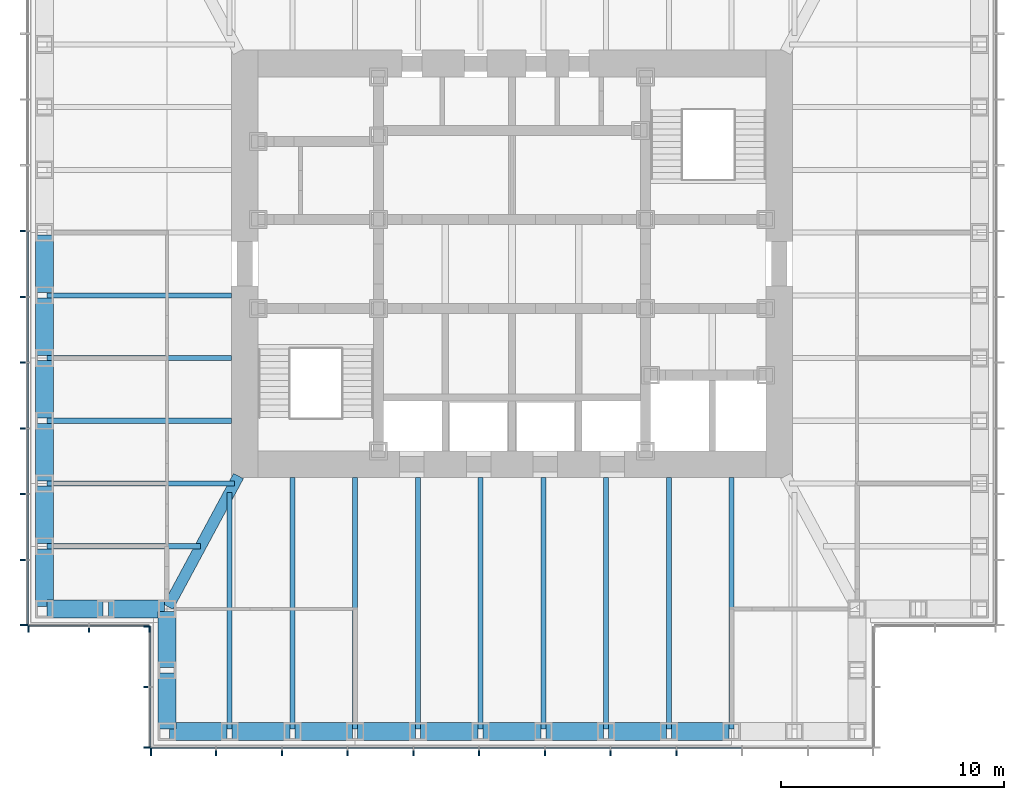
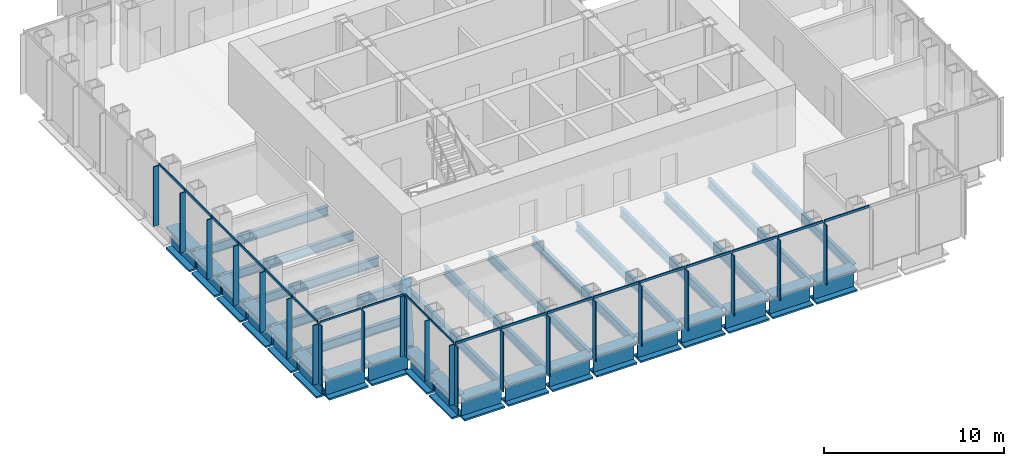
# One storey, part 2 of 16: 41 members, 34 beams, 4 elements without a shape of their own.
"""IFC4 building model written with IfcOpenShell, lengths in metres."""

from ifc_helpers import new_model, si_unit, direction, frame, origin, origin_2d, place, context, subcontext, project, spatial, rectangle, i_section, extrude, material, material_profile, profile_set, type_object, element, aggregate, save


model = new_model("IFC4")

# Units and contexts
model_context = context("Model", 3, precision=1e-05, world=origin(), true_north=direction((0.0, 1.0)))
body_context = subcontext(model_context, "Body", "Model", "MODEL_VIEW")
ifc_project = project(units=[si_unit("LENGTHUNIT", "METRE"), si_unit("AREAUNIT", "SQUARE_METRE"), si_unit("VOLUMEUNIT", "CUBIC_METRE"), si_unit("PLANEANGLEUNIT", "RADIAN"), si_unit("MASSUNIT", "GRAM", prefix="KILO")], contexts=[model_context])

# Site, building, storey
site_placement = place(None, origin())
site = spatial("IfcSite", under=ifc_project, at=site_placement, CompositionType="ELEMENT")
building_placement = place(site_placement, origin())
building = spatial("IfcBuilding", under=site, at=building_placement, Name="Daluyong Arena Tower", CompositionType="ELEMENT")
storey_placement = place(building_placement, frame((0.0, 0.0, 235.89990234375)))
storey = spatial("IfcBuildingStorey", under=building, at=storey_placement, Name="L53", CompositionType="ELEMENT", Elevation=235.89990234375)

# Curtain wall, members
ifc_material_1 = material(Name="Bronze anodised aluminium and glass", Category="aluminium")
curtain_wall_type_1 = type_object("IfcCurtainWallType", Name="Curtain wall CW3", PredefinedType="USERDEFINED", material=ifc_material_1)
curtain_wall_1_placement = place(storey_placement, origin())
curtain_wall_1 = element("IfcCurtainWall", 1, at=curtain_wall_1_placement, inside=storey, type_object=curtain_wall_type_1, Name="curtain wall L53 S", ObjectType="UNITISED CURTAIN WALL", PredefinedType="USERDEFINED")
ifc_material_2 = material(Name="Bronze anodised aluminium fin", Category="aluminium")
ifc_material_profile_1 = material_profile(ifc_material_2, rectangle(XDim=0.35009765625, YDim=0.070068359375, at=origin_2d()))
ifc_profile_set_1 = profile_set([ifc_material_profile_1], Name="Bronze anodised aluminium fin")
member_type_1 = type_object("IfcMemberType", Name="CW3 bronze fin 350x70", PredefinedType="MULLION", material=ifc_profile_set_1)
member_1_placement = place(storey_placement, frame((39.784912109375, 58.074951171875, 0.0), z_axis=(0.0, 0.0, 1.0), x_axis=(0.0, 1.0, 0.0)))
member_1 = element("IfcMember", 2, at=member_1_placement, type_object=member_type_1, Name="curtain wall L53 S fin 1", PredefinedType="MULLION", context=body_context, shape_type="SweptSolid", body=[
    extrude(rectangle(XDim=0.35009765625, YDim=0.070068359375, at=origin_2d()), origin(), (0.0, 0.0, 1.0), 4.0400390625),
])
member_2_placement = place(storey_placement, frame((42.70458984375, 58.074951171875, 0.0), z_axis=(0.0, 0.0, 1.0), x_axis=(0.0, 1.0, 0.0)))
member_2 = element("IfcMember", 3, at=member_2_placement, type_object=member_type_1, Name="curtain wall L53 S fin 2", PredefinedType="MULLION", context=body_context, shape_type="SweptSolid", body=[
    extrude(rectangle(XDim=0.35009765625, YDim=0.070068359375, at=origin_2d()), origin(), (0.0, 0.0, 1.0), 4.0400390625),
])
member_3_placement = place(storey_placement, frame((45.6591796875, 58.074951171875, 0.0), z_axis=(0.0, 0.0, 1.0), x_axis=(0.0, 1.0, 0.0)))
member_3 = element("IfcMember", 4, at=member_3_placement, type_object=member_type_1, Name="curtain wall L53 S fin 3", PredefinedType="MULLION", context=body_context, shape_type="SweptSolid", body=[
    extrude(rectangle(XDim=0.35009765625, YDim=0.070068359375, at=origin_2d()), origin(), (0.0, 0.0, 1.0), 4.0400390625),
])
member_4_placement = place(storey_placement, frame((48.613525390625, 58.074951171875, 0.0), z_axis=(0.0, 0.0, 1.0), x_axis=(0.0, 1.0, 0.0)))
member_4 = element("IfcMember", 5, at=member_4_placement, type_object=member_type_1, Name="curtain wall L53 S fin 4", PredefinedType="MULLION", context=body_context, shape_type="SweptSolid", body=[
    extrude(rectangle(XDim=0.35009765625, YDim=0.070068359375, at=origin_2d()), origin(), (0.0, 0.0, 1.0), 4.0400390625),
])
member_5_placement = place(storey_placement, frame((51.568115234375, 58.074951171875, 0.0), z_axis=(0.0, 0.0, 1.0), x_axis=(0.0, 1.0, 0.0)))
member_5 = element("IfcMember", 6, at=member_5_placement, type_object=member_type_1, Name="curtain wall L53 S fin 5", PredefinedType="MULLION", context=body_context, shape_type="SweptSolid", body=[
    extrude(rectangle(XDim=0.35009765625, YDim=0.070068359375, at=origin_2d()), origin(), (0.0, 0.0, 1.0), 4.0400390625),
])
member_6_placement = place(storey_placement, frame((54.522705078125, 58.074951171875, 0.0), z_axis=(0.0, 0.0, 1.0), x_axis=(0.0, 1.0, 0.0)))
member_6 = element("IfcMember", 7, at=member_6_placement, type_object=member_type_1, Name="curtain wall L53 S fin 6", PredefinedType="MULLION", context=body_context, shape_type="SweptSolid", body=[
    extrude(rectangle(XDim=0.35009765625, YDim=0.070068359375, at=origin_2d()), origin(), (0.0, 0.0, 1.0), 4.0400390625),
])
member_7_placement = place(storey_placement, frame((57.477294921875, 58.074951171875, 0.0), z_axis=(0.0, 0.0, 1.0), x_axis=(0.0, 1.0, 0.0)))
member_7 = element("IfcMember", 8, at=member_7_placement, type_object=member_type_1, Name="curtain wall L53 S fin 7", PredefinedType="MULLION", context=body_context, shape_type="SweptSolid", body=[
    extrude(rectangle(XDim=0.35009765625, YDim=0.070068359375, at=origin_2d()), origin(), (0.0, 0.0, 1.0), 4.0400390625),
])
member_8_placement = place(storey_placement, frame((60.431884765625, 58.074951171875, 0.0), z_axis=(0.0, 0.0, 1.0), x_axis=(0.0, 1.0, 0.0)))
member_8 = element("IfcMember", 9, at=member_8_placement, type_object=member_type_1, Name="curtain wall L53 S fin 8", PredefinedType="MULLION", context=body_context, shape_type="SweptSolid", body=[
    extrude(rectangle(XDim=0.35009765625, YDim=0.070068359375, at=origin_2d()), origin(), (0.0, 0.0, 1.0), 4.0400390625),
])
member_9_placement = place(storey_placement, frame((63.386474609375, 58.074951171875, 0.0), z_axis=(0.0, 0.0, 1.0), x_axis=(0.0, 1.0, 0.0)))
member_9 = element("IfcMember", 10, at=member_9_placement, type_object=member_type_1, Name="curtain wall L53 S fin 9", PredefinedType="MULLION", context=body_context, shape_type="SweptSolid", body=[
    extrude(rectangle(XDim=0.35009765625, YDim=0.070068359375, at=origin_2d()), origin(), (0.0, 0.0, 1.0), 4.0400390625),
])

curtain_wall_2_placement = place(storey_placement, origin())
curtain_wall_2 = element("IfcCurtainWall", 11, at=curtain_wall_2_placement, inside=storey, type_object=curtain_wall_type_1, Name="curtain wall L53 W", ObjectType="UNITISED CURTAIN WALL", PredefinedType="USERDEFINED")
member_10_placement = place(storey_placement, frame((34.074951171875, 81.477294921875, 0.0), z_axis=(0.0, 0.0, 1.0), x_axis=(1.0, 0.0, 0.0)))
member_10 = element("IfcMember", 12, at=member_10_placement, type_object=member_type_1, Name="curtain wall L53 W fin 6", PredefinedType="MULLION", context=body_context, shape_type="SweptSolid", body=[
    extrude(rectangle(XDim=0.35009765625, YDim=0.070068359375, at=origin_2d()), origin(), (0.0, 0.0, 1.0), 4.0400390625),
])
member_11_placement = place(storey_placement, frame((34.074951171875, 78.522705078125, 0.0), z_axis=(0.0, 0.0, 1.0), x_axis=(1.0, 0.0, 0.0)))
member_11 = element("IfcMember", 13, at=member_11_placement, type_object=member_type_1, Name="curtain wall L53 W fin 7", PredefinedType="MULLION", context=body_context, shape_type="SweptSolid", body=[
    extrude(rectangle(XDim=0.35009765625, YDim=0.070068359375, at=origin_2d()), origin(), (0.0, 0.0, 1.0), 4.0400390625),
])
member_12_placement = place(storey_placement, frame((34.074951171875, 75.568115234375, 0.0), z_axis=(0.0, 0.0, 1.0), x_axis=(1.0, 0.0, 0.0)))
member_12 = element("IfcMember", 14, at=member_12_placement, type_object=member_type_1, Name="curtain wall L53 W fin 8", PredefinedType="MULLION", context=body_context, shape_type="SweptSolid", body=[
    extrude(rectangle(XDim=0.35009765625, YDim=0.070068359375, at=origin_2d()), origin(), (0.0, 0.0, 1.0), 4.0400390625),
])
member_13_placement = place(storey_placement, frame((34.074951171875, 72.613525390625, 0.0), z_axis=(0.0, 0.0, 1.0), x_axis=(1.0, 0.0, 0.0)))
member_13 = element("IfcMember", 15, at=member_13_placement, type_object=member_type_1, Name="curtain wall L53 W fin 9", PredefinedType="MULLION", context=body_context, shape_type="SweptSolid", body=[
    extrude(rectangle(XDim=0.35009765625, YDim=0.070068359375, at=origin_2d()), origin(), (0.0, 0.0, 1.0), 4.0400390625),
])
member_14_placement = place(storey_placement, frame((34.074951171875, 69.6591796875, 0.0), z_axis=(0.0, 0.0, 1.0), x_axis=(1.0, 0.0, 0.0)))
member_14 = element("IfcMember", 16, at=member_14_placement, type_object=member_type_1, Name="curtain wall L53 W fin 10", PredefinedType="MULLION", context=body_context, shape_type="SweptSolid", body=[
    extrude(rectangle(XDim=0.35009765625, YDim=0.070068359375, at=origin_2d()), origin(), (0.0, 0.0, 1.0), 4.0400390625),
])
member_15_placement = place(storey_placement, frame((34.074951171875, 66.70458984375, 0.0), z_axis=(0.0, 0.0, 1.0), x_axis=(1.0, 0.0, 0.0)))
member_15 = element("IfcMember", 17, at=member_15_placement, type_object=member_type_1, Name="curtain wall L53 W fin 11", PredefinedType="MULLION", context=body_context, shape_type="SweptSolid", body=[
    extrude(rectangle(XDim=0.35009765625, YDim=0.070068359375, at=origin_2d()), origin(), (0.0, 0.0, 1.0), 4.0400390625),
])
member_16_placement = place(storey_placement, frame((34.074951171875, 63.784912109375, 0.0), z_axis=(0.0, 0.0, 1.0), x_axis=(1.0, 0.0, 0.0)))
member_16 = element("IfcMember", 18, at=member_16_placement, type_object=member_type_1, Name="curtain wall L53 W fin 12", PredefinedType="MULLION", context=body_context, shape_type="SweptSolid", body=[
    extrude(rectangle(XDim=0.35009765625, YDim=0.070068359375, at=origin_2d()), origin(), (0.0, 0.0, 1.0), 4.0400390625),
])

# Member
ifc_material_3 = material(Name="Bronze anodised aluminium", Category="aluminium")
ifc_material_profile_2 = material_profile(ifc_material_3, rectangle(XDim=0.070068359375, YDim=0.159912109375, at=origin_2d()))
ifc_profile_set_2 = profile_set([ifc_material_profile_2], Name="Bronze anodised aluminium")
member_type_2 = type_object("IfcMemberType", Name="CW3 stack transom 160x70", PredefinedType="USERDEFINED", material=ifc_profile_set_2)
member_17_placement = place(storey_placement, frame((39.820068359375, 58.25, 4.1201171875), z_axis=(1.0, 0.0, 0.0), x_axis=(0.0, 1.0, 0.0)))
member_17 = element("IfcMember", 19, at=member_17_placement, type_object=member_type_2, Name="curtain wall L53 S transom 1", ObjectType="TRANSOM", PredefinedType="USERDEFINED", context=body_context, shape_type="SweptSolid", body=[
    extrude(rectangle(XDim=0.070068359375, YDim=0.159912109375, at=origin_2d()), origin(), (0.0, 0.0, 1.0), 2.849365234375),
])

member_18_placement = place(storey_placement, frame((42.739501953125, 58.25, 4.1201171875), z_axis=(1.0, 0.0, 0.0), x_axis=(0.0, 1.0, 0.0)))
member_18 = element("IfcMember", 20, at=member_18_placement, type_object=member_type_2, Name="curtain wall L53 S transom 2", ObjectType="TRANSOM", PredefinedType="USERDEFINED", context=body_context, shape_type="SweptSolid", body=[
    extrude(rectangle(XDim=0.070068359375, YDim=0.159912109375, at=origin_2d()), origin(), (0.0, 0.0, 1.0), 2.884521484375),
])

member_19_placement = place(storey_placement, frame((45.694091796875, 58.25, 4.1201171875), z_axis=(1.0, 0.0, 0.0), x_axis=(0.0, 1.0, 0.0)))
member_19 = element("IfcMember", 21, at=member_19_placement, type_object=member_type_2, Name="curtain wall L53 S transom 3", ObjectType="TRANSOM", PredefinedType="USERDEFINED", context=body_context, shape_type="SweptSolid", body=[
    extrude(rectangle(XDim=0.070068359375, YDim=0.159912109375, at=origin_2d()), origin(), (0.0, 0.0, 1.0), 2.884521484375),
])

member_20_placement = place(storey_placement, frame((48.648681640625, 58.25, 4.1201171875), z_axis=(1.0, 0.0, 0.0), x_axis=(0.0, 1.0, 0.0)))
member_20 = element("IfcMember", 22, at=member_20_placement, type_object=member_type_2, Name="curtain wall L53 S transom 4", ObjectType="TRANSOM", PredefinedType="USERDEFINED", context=body_context, shape_type="SweptSolid", body=[
    extrude(rectangle(XDim=0.070068359375, YDim=0.159912109375, at=origin_2d()), origin(), (0.0, 0.0, 1.0), 2.884521484375),
])

member_21_placement = place(storey_placement, frame((51.603271484375, 58.25, 4.1201171875), z_axis=(1.0, 0.0, 0.0), x_axis=(0.0, 1.0, 0.0)))
member_21 = element("IfcMember", 23, at=member_21_placement, type_object=member_type_2, Name="curtain wall L53 S transom 5", ObjectType="TRANSOM", PredefinedType="USERDEFINED", context=body_context, shape_type="SweptSolid", body=[
    extrude(rectangle(XDim=0.070068359375, YDim=0.159912109375, at=origin_2d()), origin(), (0.0, 0.0, 1.0), 2.884521484375),
])

member_22_placement = place(storey_placement, frame((54.5576171875, 58.25, 4.1201171875), z_axis=(1.0, 0.0, 0.0), x_axis=(0.0, 1.0, 0.0)))
member_22 = element("IfcMember", 24, at=member_22_placement, type_object=member_type_2, Name="curtain wall L53 S transom 6", ObjectType="TRANSOM", PredefinedType="USERDEFINED", context=body_context, shape_type="SweptSolid", body=[
    extrude(rectangle(XDim=0.070068359375, YDim=0.159912109375, at=origin_2d()), origin(), (0.0, 0.0, 1.0), 2.884765625),
])

member_23_placement = place(storey_placement, frame((57.51220703125, 58.25, 4.1201171875), z_axis=(1.0, 0.0, 0.0), x_axis=(0.0, 1.0, 0.0)))
member_23 = element("IfcMember", 25, at=member_23_placement, type_object=member_type_2, Name="curtain wall L53 S transom 7", ObjectType="TRANSOM", PredefinedType="USERDEFINED", context=body_context, shape_type="SweptSolid", body=[
    extrude(rectangle(XDim=0.070068359375, YDim=0.159912109375, at=origin_2d()), origin(), (0.0, 0.0, 1.0), 2.884521484375),
])

member_24_placement = place(storey_placement, frame((60.466796875, 58.25, 4.1201171875), z_axis=(1.0, 0.0, 0.0), x_axis=(0.0, 1.0, 0.0)))
member_24 = element("IfcMember", 26, at=member_24_placement, type_object=member_type_2, Name="curtain wall L53 S transom 8", ObjectType="TRANSOM", PredefinedType="USERDEFINED", context=body_context, shape_type="SweptSolid", body=[
    extrude(rectangle(XDim=0.070068359375, YDim=0.159912109375, at=origin_2d()), origin(), (0.0, 0.0, 1.0), 2.884521484375),
])

member_25_placement = place(storey_placement, frame((63.42138671875, 58.25, 4.1201171875), z_axis=(1.0, 0.0, 0.0), x_axis=(0.0, 1.0, 0.0)))
member_25 = element("IfcMember", 27, at=member_25_placement, type_object=member_type_2, Name="curtain wall L53 S transom 9", ObjectType="TRANSOM", PredefinedType="USERDEFINED", context=body_context, shape_type="SweptSolid", body=[
    extrude(rectangle(XDim=0.070068359375, YDim=0.159912109375, at=origin_2d()), origin(), (0.0, 0.0, 1.0), 2.884521484375),
])

aggregate(curtain_wall_1, [member_1, member_2, member_3, member_4, member_5, member_6, member_7, member_8, member_9, member_17, member_18, member_19, member_20, member_21, member_22, member_23, member_24, member_25])

member_26_placement = place(storey_placement, frame((34.25, 81.4423828125, 4.1201171875), z_axis=(0.0, -1.0, 0.0), x_axis=(1.0, 0.0, 0.0)))
member_26 = element("IfcMember", 28, at=member_26_placement, type_object=member_type_2, Name="curtain wall L53 W transom 6", ObjectType="TRANSOM", PredefinedType="USERDEFINED", context=body_context, shape_type="SweptSolid", body=[
    extrude(rectangle(XDim=0.070068359375, YDim=0.159912109375, at=origin_2d()), origin(), (0.0, 0.0, 1.0), 2.884765625),
])

member_27_placement = place(storey_placement, frame((34.25, 78.48779296875, 4.1201171875), z_axis=(0.0, -1.0, 0.0), x_axis=(1.0, 0.0, 0.0)))
member_27 = element("IfcMember", 29, at=member_27_placement, type_object=member_type_2, Name="curtain wall L53 W transom 7", ObjectType="TRANSOM", PredefinedType="USERDEFINED", context=body_context, shape_type="SweptSolid", body=[
    extrude(rectangle(XDim=0.070068359375, YDim=0.159912109375, at=origin_2d()), origin(), (0.0, 0.0, 1.0), 2.884521484375),
])

member_28_placement = place(storey_placement, frame((34.25, 75.533203125, 4.1201171875), z_axis=(0.0, -1.0, 0.0), x_axis=(1.0, 0.0, 0.0)))
member_28 = element("IfcMember", 30, at=member_28_placement, type_object=member_type_2, Name="curtain wall L53 W transom 8", ObjectType="TRANSOM", PredefinedType="USERDEFINED", context=body_context, shape_type="SweptSolid", body=[
    extrude(rectangle(XDim=0.070068359375, YDim=0.159912109375, at=origin_2d()), origin(), (0.0, 0.0, 1.0), 2.884521484375),
])

member_29_placement = place(storey_placement, frame((34.25, 72.57861328125, 4.1201171875), z_axis=(0.0, -1.0, 0.0), x_axis=(1.0, 0.0, 0.0)))
member_29 = element("IfcMember", 31, at=member_29_placement, type_object=member_type_2, Name="curtain wall L53 W transom 9", ObjectType="TRANSOM", PredefinedType="USERDEFINED", context=body_context, shape_type="SweptSolid", body=[
    extrude(rectangle(XDim=0.070068359375, YDim=0.159912109375, at=origin_2d()), origin(), (0.0, 0.0, 1.0), 2.884521484375),
])

member_30_placement = place(storey_placement, frame((34.25, 69.6240234375, 4.1201171875), z_axis=(0.0, -1.0, 0.0), x_axis=(1.0, 0.0, 0.0)))
member_30 = element("IfcMember", 32, at=member_30_placement, type_object=member_type_2, Name="curtain wall L53 W transom 10", ObjectType="TRANSOM", PredefinedType="USERDEFINED", context=body_context, shape_type="SweptSolid", body=[
    extrude(rectangle(XDim=0.070068359375, YDim=0.159912109375, at=origin_2d()), origin(), (0.0, 0.0, 1.0), 2.884521484375),
])

member_31_placement = place(storey_placement, frame((34.25, 66.66943359375, 4.1201171875), z_axis=(0.0, -1.0, 0.0), x_axis=(1.0, 0.0, 0.0)))
member_31 = element("IfcMember", 33, at=member_31_placement, type_object=member_type_2, Name="curtain wall L53 W transom 11", ObjectType="TRANSOM", PredefinedType="USERDEFINED", context=body_context, shape_type="SweptSolid", body=[
    extrude(rectangle(XDim=0.070068359375, YDim=0.159912109375, at=origin_2d()), origin(), (0.0, 0.0, 1.0), 2.849365234375),
])

aggregate(curtain_wall_2, [member_10, member_11, member_12, member_13, member_14, member_15, member_16, member_26, member_27, member_28, member_29, member_30, member_31])

# Curtain wall, members
ifc_material_4 = material(Name="Bronze anodised aluminium and glass", Category="aluminium")
curtain_wall_type_2 = type_object("IfcCurtainWallType", Name="Curtain wall CW7", PredefinedType="USERDEFINED", material=ifc_material_4)
curtain_wall_3_placement = place(storey_placement, origin())
curtain_wall_3 = element("IfcCurtainWall", 34, at=curtain_wall_3_placement, inside=storey, type_object=curtain_wall_type_2, Name="curtain wall L53 SW-S", ObjectType="UNITISED CURTAIN WALL", PredefinedType="USERDEFINED")
ifc_material_5 = material(Name="Bronze anodised aluminium fin", Category="aluminium")
ifc_material_profile_3 = material_profile(ifc_material_5, rectangle(XDim=0.300048828125, YDim=0.06005859375, at=origin_2d()))
ifc_profile_set_3 = profile_set([ifc_material_profile_3], Name="Bronze anodised aluminium fin")
member_type_3 = type_object("IfcMemberType", Name="CW7 bronze fin 300x60", PredefinedType="MULLION", material=ifc_profile_set_3)
member_32_placement = place(storey_placement, frame((34.280029296875, 63.60009765625, 0.0), z_axis=(0.0, 0.0, 1.0), x_axis=(0.0, 1.0, 0.0)))
member_32 = element("IfcMember", 35, at=member_32_placement, type_object=member_type_3, Name="curtain wall L53 SW-S fin 1", PredefinedType="MULLION", context=body_context, shape_type="SweptSolid", body=[
    extrude(rectangle(XDim=0.300048828125, YDim=0.06005859375, at=origin_2d()), origin(), (0.0, 0.0, 1.0), 4.080078125),
])
member_33_placement = place(storey_placement, frame((37.0, 63.60009765625, 0.0), z_axis=(0.0, 0.0, 1.0), x_axis=(0.0, 1.0, 0.0)))
member_33 = element("IfcMember", 36, at=member_33_placement, type_object=member_type_3, Name="curtain wall L53 SW-S fin 2", PredefinedType="MULLION", context=body_context, shape_type="SweptSolid", body=[
    extrude(rectangle(XDim=0.300048828125, YDim=0.06005859375, at=origin_2d()), origin(), (0.0, 0.0, 1.0), 4.080078125),
])
member_34_placement = place(storey_placement, frame((39.719970703125, 63.60009765625, 0.0), z_axis=(0.0, 0.0, 1.0), x_axis=(0.0, 1.0, 0.0)))
member_34 = element("IfcMember", 37, at=member_34_placement, type_object=member_type_3, Name="curtain wall L53 SW-S fin 3", PredefinedType="MULLION", context=body_context, shape_type="SweptSolid", body=[
    extrude(rectangle(XDim=0.300048828125, YDim=0.06005859375, at=origin_2d()), origin(), (0.0, 0.0, 1.0), 4.080078125),
])

curtain_wall_4_placement = place(storey_placement, origin())
curtain_wall_4 = element("IfcCurtainWall", 38, at=curtain_wall_4_placement, inside=storey, type_object=curtain_wall_type_2, Name="curtain wall L53 SW-W", ObjectType="UNITISED CURTAIN WALL", PredefinedType="USERDEFINED")
member_35_placement = place(storey_placement, frame((39.60009765625, 63.719970703125, 0.0), z_axis=(0.0, 0.0, 1.0), x_axis=(1.0, 0.0, 0.0)))
member_35 = element("IfcMember", 39, at=member_35_placement, type_object=member_type_3, Name="curtain wall L53 SW-W fin 1", PredefinedType="MULLION", context=body_context, shape_type="SweptSolid", body=[
    extrude(rectangle(XDim=0.300048828125, YDim=0.06005859375, at=origin_2d()), origin(), (0.0, 0.0, 1.0), 4.080078125),
])
member_36_placement = place(storey_placement, frame((39.60009765625, 61.0, 0.0), z_axis=(0.0, 0.0, 1.0), x_axis=(1.0, 0.0, 0.0)))
member_36 = element("IfcMember", 40, at=member_36_placement, type_object=member_type_3, Name="curtain wall L53 SW-W fin 2", PredefinedType="MULLION", context=body_context, shape_type="SweptSolid", body=[
    extrude(rectangle(XDim=0.300048828125, YDim=0.06005859375, at=origin_2d()), origin(), (0.0, 0.0, 1.0), 4.080078125),
])
member_37_placement = place(storey_placement, frame((39.60009765625, 58.280029296875, 0.0), z_axis=(0.0, 0.0, 1.0), x_axis=(1.0, 0.0, 0.0)))
member_37 = element("IfcMember", 41, at=member_37_placement, type_object=member_type_3, Name="curtain wall L53 SW-W fin 3", PredefinedType="MULLION", context=body_context, shape_type="SweptSolid", body=[
    extrude(rectangle(XDim=0.300048828125, YDim=0.06005859375, at=origin_2d()), origin(), (0.0, 0.0, 1.0), 4.080078125),
])

# Member
ifc_material_6 = material(Name="Bronze anodised aluminium", Category="aluminium")
ifc_material_profile_4 = material_profile(ifc_material_6, rectangle(XDim=0.06005859375, YDim=0.1201171875, at=origin_2d()))
ifc_profile_set_4 = profile_set([ifc_material_profile_4], Name="Bronze anodised aluminium")
member_type_4 = type_object("IfcMemberType", Name="CW7 stack transom 120x60", PredefinedType="USERDEFINED", material=ifc_profile_set_4)
member_38_placement = place(storey_placement, frame((34.31005859375, 63.75, 4.14013671875), z_axis=(1.0, 0.0, 0.0), x_axis=(0.0, 1.0, 0.0)))
member_38 = element("IfcMember", 42, at=member_38_placement, type_object=member_type_4, Name="curtain wall L53 SW-S transom 1", ObjectType="TRANSOM", PredefinedType="USERDEFINED", context=body_context, shape_type="SweptSolid", body=[
    extrude(rectangle(XDim=0.06005859375, YDim=0.1201171875, at=origin_2d()), origin(), (0.0, 0.0, 1.0), 2.659912109375),
])

member_39_placement = place(storey_placement, frame((37.030029296875, 63.75, 4.14013671875), z_axis=(1.0, 0.0, 0.0), x_axis=(0.0, 1.0, 0.0)))
member_39 = element("IfcMember", 43, at=member_39_placement, type_object=member_type_4, Name="curtain wall L53 SW-S transom 2", ObjectType="TRANSOM", PredefinedType="USERDEFINED", context=body_context, shape_type="SweptSolid", body=[
    extrude(rectangle(XDim=0.06005859375, YDim=0.1201171875, at=origin_2d()), origin(), (0.0, 0.0, 1.0), 2.659912109375),
])

aggregate(curtain_wall_3, [member_32, member_33, member_34, member_38, member_39])

member_40_placement = place(storey_placement, frame((39.75, 63.68994140625, 4.14013671875), z_axis=(0.0, -1.0, 0.0), x_axis=(1.0, 0.0, 0.0)))
member_40 = element("IfcMember", 44, at=member_40_placement, type_object=member_type_4, Name="curtain wall L53 SW-W transom 1", ObjectType="TRANSOM", PredefinedType="USERDEFINED", context=body_context, shape_type="SweptSolid", body=[
    extrude(rectangle(XDim=0.06005859375, YDim=0.1201171875, at=origin_2d()), origin(), (0.0, 0.0, 1.0), 2.659912109375),
])

member_41_placement = place(storey_placement, frame((39.75, 60.969970703125, 4.14013671875), z_axis=(0.0, -1.0, 0.0), x_axis=(1.0, 0.0, 0.0)))
member_41 = element("IfcMember", 45, at=member_41_placement, type_object=member_type_4, Name="curtain wall L53 SW-W transom 2", ObjectType="TRANSOM", PredefinedType="USERDEFINED", context=body_context, shape_type="SweptSolid", body=[
    extrude(rectangle(XDim=0.06005859375, YDim=0.1201171875, at=origin_2d()), origin(), (0.0, 0.0, 1.0), 2.659912109375),
])

aggregate(curtain_wall_4, [member_35, member_36, member_37, member_40, member_41])

# Beams
ifc_material_7 = material(Name="Steel ASTM A572 Grade 50", Category="steel")
ifc_material_profile_5 = material_profile(ifc_material_7, i_section(OverallWidth=0.5, OverallDepth=1.0, WebThickness=0.03, FlangeThickness=0.06, at=origin_2d()))
ifc_profile_set_5 = profile_set([ifc_material_profile_5], Name="Steel ASTM A572 Grade 50")
beam_type_1 = type_object("IfcBeamType", Name="Corner girder TB1000X500", PredefinedType="BEAM", material=ifc_profile_set_5)
beam_1_placement = place(storey_placement, frame((40.554443359375, 64.601318359375, -0.659912109375), z_axis=(0.474119475266, 0.880460517669, 0.0), x_axis=(-0.880460517669, 0.474119475266, 0.0)))
element("IfcBeam", 46, at=beam_1_placement, inside=storey, type_object=beam_type_1, Name="corner girder DG2", PredefinedType="BEAM", context=body_context, shape_type="SweptSolid", body=[
    extrude(i_section(OverallWidth=0.5, OverallDepth=1.0, WebThickness=0.03, FlangeThickness=0.06, at=origin_2d()), origin(), (0.0, 0.0, 1.0), 6.66748046875),
])
ifc_material_8 = material(Name="Steel ASTM A992 Grade 50", Category="steel")
ifc_material_profile_6 = material_profile(ifc_material_8, i_section(OverallWidth=0.22900390625, OverallDepth=0.612060546875, WebThickness=0.011962890625, FlangeThickness=0.01953125, at=origin_2d()))
ifc_profile_set_6 = profile_set([ifc_material_profile_6], Name="Steel ASTM A992 Grade 50")
beam_type_2 = type_object("IfcBeamType", Name="Floor beam W24X84", PredefinedType="BEAM", material=ifc_profile_set_6)
beam_2_placement = place(storey_placement, frame((43.318115234375, 59.114990234375, -0.466064453125), z_axis=(0.0, 1.0, 0.0), x_axis=(-1.0, 0.0, 0.0)))
element("IfcBeam", 47, at=beam_2_placement, inside=storey, type_object=beam_type_2, Name="floor beam FB3", PredefinedType="BEAM", context=body_context, shape_type="SweptSolid", body=[
    extrude(i_section(OverallWidth=0.22900390625, OverallDepth=0.612060546875, WebThickness=0.011962890625, FlangeThickness=0.01953125, at=origin_2d()), origin(), (0.0, 0.0, 1.0), 10.618896484375),
])
for number, where, z_axis, x_axis, name in (
    (48, (46.136474609375, 59.114990234375, -0.466064453125), (0.0, 1.0, 0.0), (-1.0, 0.0, 0.0), "floor beam FB3"),
    (49, (48.95458984375, 59.114990234375, -0.466064453125), (0.0, 1.0, 0.0), (-1.0, 0.0, 0.0), "floor beam FB3"),
    (50, (51.772705078125, 59.114990234375, -0.466064453125), (0.0, 1.0, 0.0), (-1.0, 0.0, 0.0), "floor beam FB3"),
    (51, (54.5908203125, 59.114990234375, -0.466064453125), (0.0, 1.0, 0.0), (-1.0, 0.0, 0.0), "floor beam FB3"),
    (52, (57.4091796875, 59.114990234375, -0.466064453125), (0.0, 1.0, 0.0), (-1.0, 0.0, 0.0), "floor beam FB3"),
    (53, (60.227294921875, 59.114990234375, -0.466064453125), (0.0, 1.0, 0.0), (-1.0, 0.0, 0.0), "floor beam FB3"),
    (54, (63.04541015625, 59.114990234375, -0.466064453125), (0.0, 1.0, 0.0), (-1.0, 0.0, 0.0), "floor beam FB3"),
    (55, (65.863525390625, 59.114990234375, -0.466064453125), (0.0, 1.0, 0.0), (-1.0, 0.0, 0.0), "floor beam FB3"),
):
    element("IfcBeam", number, at=place(storey_placement, frame(where, z_axis=z_axis, x_axis=x_axis)), inside=storey, type_object=beam_type_2, Name=name, PredefinedType="BEAM", context=body_context, shape_type="SweptSolid", body=[
        extrude(i_section(OverallWidth=0.22900390625, OverallDepth=0.612060546875, WebThickness=0.011962890625, FlangeThickness=0.01953125, at=origin_2d()), origin(), (0.0, 0.0, 1.0), 11.284912109375),
    ])
for number, where, z_axis, x_axis, name in (
    (56, (35.114990234375, 78.5908203125, -0.466064453125), (1.0, 0.0, 0.0), (0.0, 1.0, 0.0), "floor beam FB3"),
    (57, (35.114990234375, 75.772705078125, -0.466064453125), (1.0, 0.0, 0.0), (0.0, 1.0, 0.0), "floor beam FB3"),
    (58, (35.114990234375, 72.95458984375, -0.466064453125), (1.0, 0.0, 0.0), (0.0, 1.0, 0.0), "floor beam FB3"),
):
    element("IfcBeam", number, at=place(storey_placement, frame(where, z_axis=z_axis, x_axis=x_axis)), inside=storey, type_object=beam_type_2, Name=name, PredefinedType="BEAM", context=body_context, shape_type="SweptSolid", body=[
        extrude(i_section(OverallWidth=0.22900390625, OverallDepth=0.612060546875, WebThickness=0.011962890625, FlangeThickness=0.01953125, at=origin_2d()), origin(), (0.0, 0.0, 1.0), 8.284912109375),
    ])
beam_3_placement = place(storey_placement, frame((35.114990234375, 70.136474609375, -0.466064453125), z_axis=(1.0, 0.0, 0.0), x_axis=(0.0, 1.0, 0.0)))
element("IfcBeam", 59, at=beam_3_placement, inside=storey, type_object=beam_type_2, Name="floor beam FB3", PredefinedType="BEAM", context=body_context, shape_type="SweptSolid", body=[
    extrude(i_section(OverallWidth=0.22900390625, OverallDepth=0.612060546875, WebThickness=0.011962890625, FlangeThickness=0.01953125, at=origin_2d()), origin(), (0.0, 0.0, 1.0), 8.419921875),
])
beam_4_placement = place(storey_placement, frame((35.114990234375, 67.318115234375, -0.466064453125), z_axis=(1.0, 0.0, 0.0), x_axis=(0.0, 1.0, 0.0)))
element("IfcBeam", 60, at=beam_4_placement, inside=storey, type_object=beam_type_2, Name="floor beam FB3", PredefinedType="BEAM", context=body_context, shape_type="SweptSolid", body=[
    extrude(i_section(OverallWidth=0.22900390625, OverallDepth=0.612060546875, WebThickness=0.011962890625, FlangeThickness=0.01953125, at=origin_2d()), origin(), (0.0, 0.0, 1.0), 6.902587890625),
])
ifc_material_9 = material(Name="Steel ASTM A588 Grade 50", Category="steel")
ifc_material_profile_7 = material_profile(ifc_material_9, i_section(OverallWidth=0.800048828125, OverallDepth=1.5, WebThickness=0.05, FlangeThickness=0.12, at=origin_2d()))
ifc_profile_set_7 = profile_set([ifc_material_profile_7], Name="Steel ASTM A588 Grade 50")
beam_type_3 = type_object("IfcBeamType", Name="Spandrel Z3 PG1500X800", PredefinedType="SPANDREL", material=ifc_profile_set_7)
beam_5_placement = place(storey_placement, frame((40.614990234375, 59.0, -0.909912109375), z_axis=(1.0, 0.0, 0.0), x_axis=(0.0, 1.0, 0.0)))
element("IfcBeam", 61, at=beam_5_placement, inside=storey, type_object=beam_type_3, Name="spandrel z3 SB7", PredefinedType="SPANDREL", context=body_context, shape_type="SweptSolid", body=[
    extrude(i_section(OverallWidth=0.800048828125, OverallDepth=1.5, WebThickness=0.05, FlangeThickness=0.12, at=origin_2d()), origin(), (0.0, 0.0, 1.0), 2.588134765625),
])
beam_6_placement = place(storey_placement, frame((43.43310546875, 59.0, -0.909912109375), z_axis=(1.0, 0.0, 0.0), x_axis=(0.0, 1.0, 0.0)))
element("IfcBeam", 62, at=beam_6_placement, inside=storey, type_object=beam_type_3, Name="spandrel z3 SB7", PredefinedType="SPANDREL", context=body_context, shape_type="SweptSolid", body=[
    extrude(i_section(OverallWidth=0.800048828125, OverallDepth=1.5, WebThickness=0.05, FlangeThickness=0.12, at=origin_2d()), origin(), (0.0, 0.0, 1.0), 2.58837890625),
])
for number, where, z_axis, x_axis, name in (
    (63, (46.25146484375, 59.0, -0.909912109375), (1.0, 0.0, 0.0), (0.0, 1.0, 0.0), "spandrel z3 SB7"),
    (64, (49.069580078125, 59.0, -0.909912109375), (1.0, 0.0, 0.0), (0.0, 1.0, 0.0), "spandrel z3 SB7"),
    (65, (51.8876953125, 59.0, -0.909912109375), (1.0, 0.0, 0.0), (0.0, 1.0, 0.0), "spandrel z3 SB7"),
):
    element("IfcBeam", number, at=place(storey_placement, frame(where, z_axis=z_axis, x_axis=x_axis)), inside=storey, type_object=beam_type_3, Name=name, PredefinedType="SPANDREL", context=body_context, shape_type="SweptSolid", body=[
        extrude(i_section(OverallWidth=0.800048828125, OverallDepth=1.5, WebThickness=0.05, FlangeThickness=0.12, at=origin_2d()), origin(), (0.0, 0.0, 1.0), 2.588134765625),
    ])
beam_7_placement = place(storey_placement, frame((54.705810546875, 59.0, -0.909912109375), z_axis=(1.0, 0.0, 0.0), x_axis=(0.0, 1.0, 0.0)))
element("IfcBeam", 66, at=beam_7_placement, inside=storey, type_object=beam_type_3, Name="spandrel z3 SB7", PredefinedType="SPANDREL", context=body_context, shape_type="SweptSolid", body=[
    extrude(i_section(OverallWidth=0.800048828125, OverallDepth=1.5, WebThickness=0.05, FlangeThickness=0.12, at=origin_2d()), origin(), (0.0, 0.0, 1.0), 2.58837890625),
])
for number, where, z_axis, x_axis, name in (
    (67, (57.524169921875, 59.0, -0.909912109375), (1.0, 0.0, 0.0), (0.0, 1.0, 0.0), "spandrel z3 SB7"),
    (68, (60.34228515625, 59.0, -0.909912109375), (1.0, 0.0, 0.0), (0.0, 1.0, 0.0), "spandrel z3 SB7"),
    (69, (63.160400390625, 59.0, -0.909912109375), (1.0, 0.0, 0.0), (0.0, 1.0, 0.0), "spandrel z3 SB7"),
):
    element("IfcBeam", number, at=place(storey_placement, frame(where, z_axis=z_axis, x_axis=x_axis)), inside=storey, type_object=beam_type_3, Name=name, PredefinedType="SPANDREL", context=body_context, shape_type="SweptSolid", body=[
        extrude(i_section(OverallWidth=0.800048828125, OverallDepth=1.5, WebThickness=0.05, FlangeThickness=0.12, at=origin_2d()), origin(), (0.0, 0.0, 1.0), 2.588134765625),
    ])
beam_8_placement = place(storey_placement, frame((35.0, 81.294189453125, -0.909912109375), z_axis=(0.0, -1.0, 0.0), x_axis=(1.0, 0.0, 0.0)))
element("IfcBeam", 70, at=beam_8_placement, inside=storey, type_object=beam_type_3, Name="spandrel z3 SB7", PredefinedType="SPANDREL", context=body_context, shape_type="SweptSolid", body=[
    extrude(i_section(OverallWidth=0.800048828125, OverallDepth=1.5, WebThickness=0.05, FlangeThickness=0.12, at=origin_2d()), origin(), (0.0, 0.0, 1.0), 2.58837890625),
])
for number, where, z_axis, x_axis, name in (
    (71, (35.0, 78.475830078125, -0.909912109375), (0.0, -1.0, 0.0), (1.0, 0.0, 0.0), "spandrel z3 SB7"),
    (72, (35.0, 75.65771484375, -0.909912109375), (0.0, -1.0, 0.0), (1.0, 0.0, 0.0), "spandrel z3 SB7"),
    (73, (35.0, 72.839599609375, -0.909912109375), (0.0, -1.0, 0.0), (1.0, 0.0, 0.0), "spandrel z3 SB7"),
):
    element("IfcBeam", number, at=place(storey_placement, frame(where, z_axis=z_axis, x_axis=x_axis)), inside=storey, type_object=beam_type_3, Name=name, PredefinedType="SPANDREL", context=body_context, shape_type="SweptSolid", body=[
        extrude(i_section(OverallWidth=0.800048828125, OverallDepth=1.5, WebThickness=0.05, FlangeThickness=0.12, at=origin_2d()), origin(), (0.0, 0.0, 1.0), 2.588134765625),
    ])
beam_9_placement = place(storey_placement, frame((35.0, 70.021484375, -0.909912109375), z_axis=(0.0, -1.0, 0.0), x_axis=(1.0, 0.0, 0.0)))
element("IfcBeam", 74, at=beam_9_placement, inside=storey, type_object=beam_type_3, Name="spandrel z3 SB7", PredefinedType="SPANDREL", context=body_context, shape_type="SweptSolid", body=[
    extrude(i_section(OverallWidth=0.800048828125, OverallDepth=1.5, WebThickness=0.05, FlangeThickness=0.12, at=origin_2d()), origin(), (0.0, 0.0, 1.0), 2.58837890625),
])
beam_10_placement = place(storey_placement, frame((35.0, 67.203125, -0.909912109375), z_axis=(0.0, -1.0, 0.0), x_axis=(1.0, 0.0, 0.0)))
element("IfcBeam", 75, at=beam_10_placement, inside=storey, type_object=beam_type_3, Name="spandrel z3 SB7", PredefinedType="SPANDREL", context=body_context, shape_type="SweptSolid", body=[
    extrude(i_section(OverallWidth=0.800048828125, OverallDepth=1.5, WebThickness=0.05, FlangeThickness=0.12, at=origin_2d()), origin(), (0.0, 0.0, 1.0), 2.588134765625),
])
for number, where, z_axis, x_axis, name in (
    (76, (35.114990234375, 64.5, -0.909912109375), (1.0, 0.0, 0.0), (0.0, 1.0, 0.0), "spandrel z3 SB7"),
    (77, (37.864990234375, 64.5, -0.909912109375), (1.0, 0.0, 0.0), (0.0, 1.0, 0.0), "spandrel z3 SB7"),
    (78, (40.5, 64.385009765625, -0.909912109375), (0.0, -1.0, 0.0), (1.0, 0.0, 0.0), "spandrel z3 SB7"),
    (79, (40.5, 61.635009765625, -0.909912109375), (0.0, -1.0, 0.0), (1.0, 0.0, 0.0), "spandrel z3 SB7"),
):
    element("IfcBeam", number, at=place(storey_placement, frame(where, z_axis=z_axis, x_axis=x_axis)), inside=storey, type_object=beam_type_3, Name=name, PredefinedType="SPANDREL", context=body_context, shape_type="SweptSolid", body=[
        extrude(i_section(OverallWidth=0.800048828125, OverallDepth=1.5, WebThickness=0.05, FlangeThickness=0.12, at=origin_2d()), origin(), (0.0, 0.0, 1.0), 2.52001953125),
    ])

save(model, "model.ifc")
